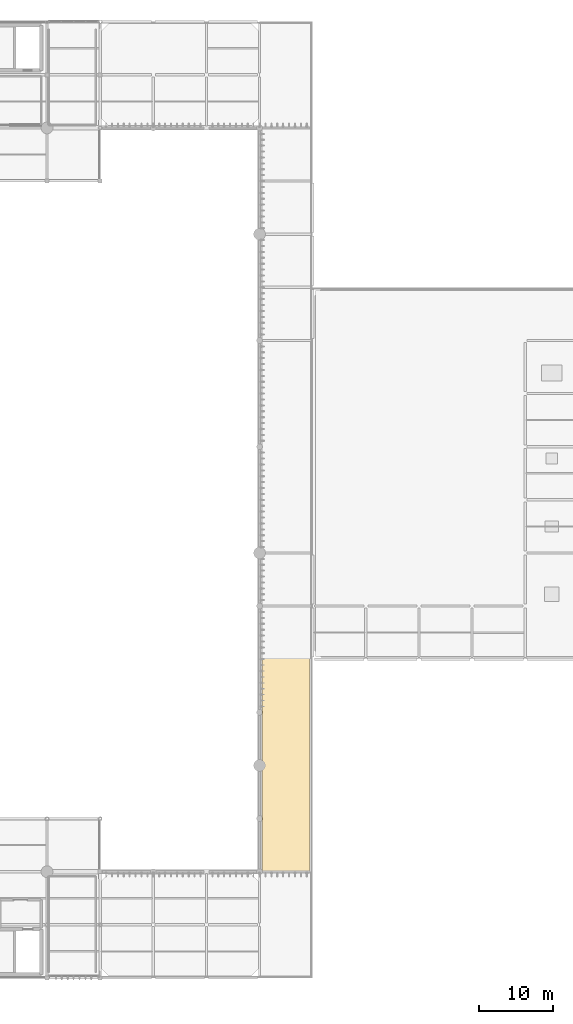
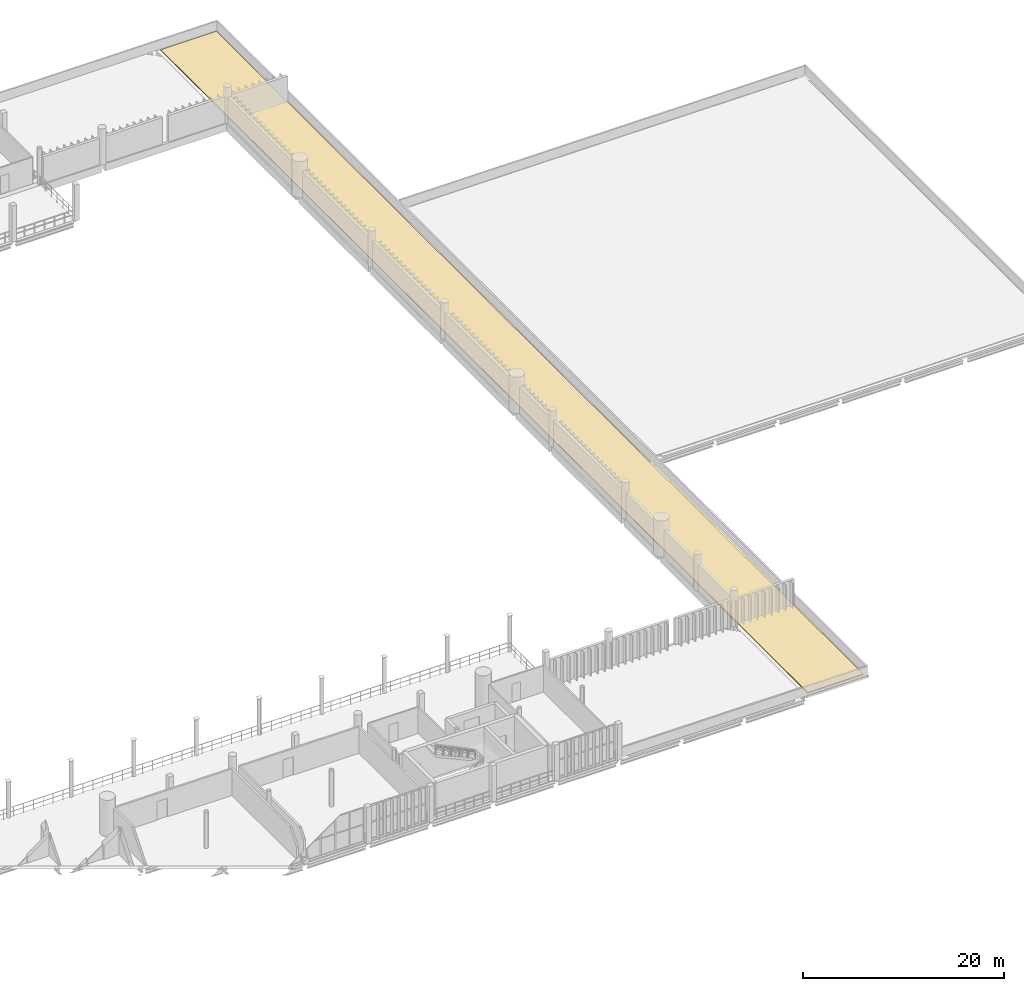
# One storey, part 78 of 81: 1 covering.
"""IFC4 building model written with IfcOpenShell, lengths in metres."""

import ifcopenshell
import ifcopenshell.guid

model = None  # the IFC model being written
_history = None  # IfcOwnerHistory: only IFC2X3 demands one
_inside = {}  # id of a spatial element -> (the spatial element, [elements in it])
_under = {}  # id of a project, library or spatial element -> (it, [spatial elements below it])
_declared = {}  # id of a project -> (the project, [libraries it declares])
_typed = {}  # id of a type object -> (the type object, [elements of that type])
_made_of = {}  # id of a material, layer set ... -> (it, [elements and type objects made of it])


def new_model(schema):
    """Start an empty IFC model of exactly this schema.

    Asked for "IFC4X3", IfcOpenShell would pick the latest addendum, in which some entities
    have other attributes; the version numbers below select the first issue.
    IFC2X3 requires an IfcOwnerHistory on every rooted entity: one is made here for all.
    """
    global model, _history
    if schema == "IFC4X3":
        model = ifcopenshell.file(schema_version=(4, 3, 0, 0))
    else:
        model = ifcopenshell.file(schema=schema)
    _inside.clear()
    _under.clear()
    _declared.clear()
    _typed.clear()
    _made_of.clear()
    _history = None
    if model.schema == "IFC2X3":
        org = make("IfcOrganization", Name="unknown")
        user = make(
            "IfcPersonAndOrganization",
            ThePerson=make("IfcPerson", FamilyName="unknown"),
            TheOrganization=org,
        )
        app = make(
            "IfcApplication",
            ApplicationDeveloper=org,
            Version="unknown",
            ApplicationFullName="unknown",
            ApplicationIdentifier="unknown",
        )
        _history = make(
            "IfcOwnerHistory",
            OwningUser=user,
            OwningApplication=app,
            ChangeAction="ADDED",
            CreationDate=0,
        )
    return model


def make(cls, **values):
    """One entity of the class cls with the attributes given. An attribute that is None is left unset."""
    return model.create_entity(
        cls, **{name: value for name, value in values.items() if value is not None}
    )


def rooted(cls, **values):
    """An entity with a GlobalId (a new one), such as an element, a storey or a relation."""
    return make(cls, GlobalId=ifcopenshell.guid.new(), OwnerHistory=_history, **values)


def si_unit(unit_type, name, prefix=None):
    """IfcSIUnit, for example si_unit("LENGTHUNIT", "METRE", prefix="MILLI")."""
    return make("IfcSIUnit", UnitType=unit_type, Prefix=prefix, Name=name)


def assignment(units):
    """IfcUnitAssignment: the units of a project."""
    return None if units is None else make("IfcUnitAssignment", Units=units)


def point(xyz):
    """IfcCartesianPoint."""
    return None if xyz is None else make("IfcCartesianPoint", Coordinates=xyz)


def direction(xyz):
    """IfcDirection."""
    return None if xyz is None else make("IfcDirection", DirectionRatios=xyz)


def frame(location, z_axis=None, x_axis=None):
    """IfcAxis2Placement3D, a coordinate frame: its origin and axes. An axis left out is left unset."""
    return make(
        "IfcAxis2Placement3D",
        Location=point(location),
        Axis=direction(z_axis),
        RefDirection=direction(x_axis),
    )


def origin():
    """The frame at (0, 0, 0) with its axes left unset."""
    return frame((0.0, 0.0, 0.0))


def place(relative_to, where):
    """IfcLocalPlacement: puts the frame where relative to a parent placement (None: the world)."""
    return make(
        "IfcLocalPlacement", PlacementRelTo=relative_to, RelativePlacement=where
    )


def context(
    kind, dimensions, precision=None, world=None, true_north=None, identifier=None
):
    """IfcGeometricRepresentationContext, for example the 3D "Model" context."""
    return make(
        "IfcGeometricRepresentationContext",
        ContextIdentifier=identifier,
        ContextType=kind,
        CoordinateSpaceDimension=dimensions,
        Precision=precision,
        WorldCoordinateSystem=world,
        TrueNorth=true_north,
    )


def subcontext(parent, identifier, kind, view, scale=None):
    """IfcGeometricRepresentationSubContext, for example "Body" below "Model"."""
    return make(
        "IfcGeometricRepresentationSubContext",
        ContextIdentifier=identifier,
        ContextType=kind,
        ParentContext=parent,
        TargetScale=scale,
        TargetView=view,
    )


def project(units=None, contexts=None):
    """IfcProject with its units and contexts."""
    return rooted(
        "IfcProject",
        Name="project",
        RepresentationContexts=contexts,
        UnitsInContext=assignment(units),
    )


def spatial(cls, under=None, at=None, **own):
    """A site, building, storey or space (cls), placed at a placement, below another one or the project."""
    s = rooted(cls, ObjectPlacement=at, **own)
    if under is not None:
        _under.setdefault(under.id(), (under, []))[1].append(s)
    return s


def polyline(points):
    """IfcPolyline through the points."""
    return make("IfcPolyline", Points=[point(p) for p in points])


def outline(outer, holes=None, kind="AREA"):
    """IfcArbitraryClosedProfileDef: a profile drawn as a closed curve; with holes, ...WithVoids."""
    if holes is None:
        return make("IfcArbitraryClosedProfileDef", ProfileType=kind, OuterCurve=outer)
    return make(
        "IfcArbitraryProfileDefWithVoids",
        ProfileType=kind,
        OuterCurve=outer,
        InnerCurves=holes,
    )


def extrude(swept, where, along, depth):
    """IfcExtrudedAreaSolid: the profile swept, set in the frame where, extruded along a direction by depth."""
    return make(
        "IfcExtrudedAreaSolid",
        SweptArea=swept,
        Position=where,
        ExtrudedDirection=direction(along),
        Depth=depth,
    )


def shape(context_of_items, identifier, shape_type, items):
    """IfcShapeRepresentation: the items that make up one representation, for example the "Body"."""
    return make(
        "IfcShapeRepresentation",
        ContextOfItems=context_of_items,
        RepresentationIdentifier=identifier,
        RepresentationType=shape_type,
        Items=items,
    )


def material(Name=None, Category=None):
    """IfcMaterial."""
    return make("IfcMaterial", Name=Name, Category=Category)


def layer(
    of_material, thickness, ventilated=None, Name=None, Category=None, Priority=None
):
    """IfcMaterialLayer: one layer of a wall or slab, of a material (None: an air gap)."""
    return make(
        "IfcMaterialLayer",
        Material=of_material,
        LayerThickness=thickness,
        IsVentilated=ventilated,
        Name=Name,
        Category=Category,
        Priority=Priority,
    )


def layer_set(layers, Name=None):
    """IfcMaterialLayerSet."""
    return make("IfcMaterialLayerSet", MaterialLayers=layers, LayerSetName=Name)


def made_of(thing, what):
    """Note that an element or type object is made of a material, layer set ...; save() writes the relation."""
    if what is not None:
        _made_of.setdefault(what.id(), (what, []))[1].append(thing)
    return thing


def type_object(cls, material=None, **own):
    """A type object (cls), such as IfcWallType, which elements share."""
    return made_of(rooted(cls, **own), material)


def element(
    cls,
    number,
    at=None,
    inside=None,
    cuts=None,
    type_object=None,
    material=None,
    context=None,
    identifier="Body",
    shape_type=None,
    held_by="IfcProductDefinitionShape",
    body=None,
    shapes=None,
    **own,
):
    """One element of the class cls, such as IfcWall. Its Tag is "e" and its number.

    at: its placement. inside: the storey or other place that contains it. cuts: it is an
    opening in that element (IfcRelVoidsElement). A single representation is given by context,
    identifier, shape_type and body (its items); several are given by shapes. held_by: the class
    of the entity that holds the representations. save() writes the other relations.
    """
    e = rooted(cls, Tag="e%d" % number, ObjectPlacement=at, **own)
    if body is not None:
        shapes = [shape(context, identifier, shape_type, body)]
    if shapes is not None:
        e.Representation = make(held_by, Representations=shapes)
    if inside is not None:
        _inside.setdefault(inside.id(), (inside, []))[1].append(e)
    if cuts is not None:
        rooted(
            "IfcRelVoidsElement", RelatingBuildingElement=cuts, RelatedOpeningElement=e
        )
    if type_object is not None:
        _typed.setdefault(type_object.id(), (type_object, []))[1].append(e)
    return made_of(e, material)


def aggregate(whole, parts):
    """IfcRelAggregates: a whole, such as a stair, and the parts it consists of."""
    return rooted("IfcRelAggregates", RelatingObject=whole, RelatedObjects=parts)


def save(model, path):
    """Write the relations noted so far, then the file.

    IfcRelAggregates (storeys below a building ...), IfcRelContainedInSpatialStructure (elements
    in a storey), IfcRelDefinesByType, IfcRelAssociatesMaterial and IfcRelDeclares: one each for
    every whole, place, type object, material and project.
    """
    for whole, parts in _under.values():
        aggregate(whole, parts)
    for where, things in _inside.values():
        rooted(
            "IfcRelContainedInSpatialStructure",
            RelatedElements=things,
            RelatingStructure=where,
        )
    for kind, things in _typed.values():
        rooted("IfcRelDefinesByType", RelatedObjects=things, RelatingType=kind)
    for what, things in _made_of.values():
        rooted("IfcRelAssociatesMaterial", RelatedObjects=things, RelatingMaterial=what)
    for by, libraries in _declared.values():
        rooted("IfcRelDeclares", RelatingContext=by, RelatedDefinitions=libraries)
    model.write(path)


model = new_model("IFC4")

# Units and contexts
model_context = context("Model", 3, precision=1e-05, world=origin(), true_north=direction((0.0, 1.0)))
body_context = subcontext(model_context, "Body", "Model", "MODEL_VIEW")
ifc_project = project(units=[si_unit("LENGTHUNIT", "METRE"), si_unit("AREAUNIT", "SQUARE_METRE"), si_unit("VOLUMEUNIT", "CUBIC_METRE"), si_unit("PLANEANGLEUNIT", "RADIAN"), si_unit("MASSUNIT", "GRAM", prefix="KILO")], contexts=[model_context])

# Site, building, storey
site_placement = place(None, origin())
site = spatial("IfcSite", under=ifc_project, at=site_placement, CompositionType="ELEMENT")
building_placement = place(site_placement, origin())
building = spatial("IfcBuilding", under=site, at=building_placement, Name="Qandorah Velis Arena", CompositionType="ELEMENT")
storey_placement = place(building_placement, frame((0.0, 0.0, 18.60009765625)))
storey = spatial("IfcBuildingStorey", under=building, at=storey_placement, Name="L04", CompositionType="ELEMENT", Elevation=18.60009765625)

# Covering
ifc_material = material(Name="Insulated high-albedo standing-seam aluminium roofing", Category="aluminium")
ifc_layer = layer(ifc_material, 0.080078125)
ifc_layer_set = layer_set([ifc_layer], Name="Insulated high-albedo standing-seam aluminium roofing")
covering_type = type_object("IfcCoveringType", Name="ARC-COV-ROOF", PredefinedType="ROOFING", material=ifc_layer_set)
covering_placement = place(storey_placement, origin())
element("IfcCovering", 1, at=covering_placement, inside=storey, type_object=covering_type, Name="Standing-seam insulated roof covering COV-RF-EPOD", PredefinedType="ROOFING", context=body_context, shape_type="SweptSolid", body=[
    extrude(outline(polyline([(115.60009765625, 0.39990234375), (122.0, 0.39990234375), (122.0, 129.199951171875), (115.60009765625, 129.199951171875), (115.60009765625, 0.39990234375)])), origin(), (0.0, 0.0, 1.0), 0.079833984375),
])

save(model, "model.ifc")
